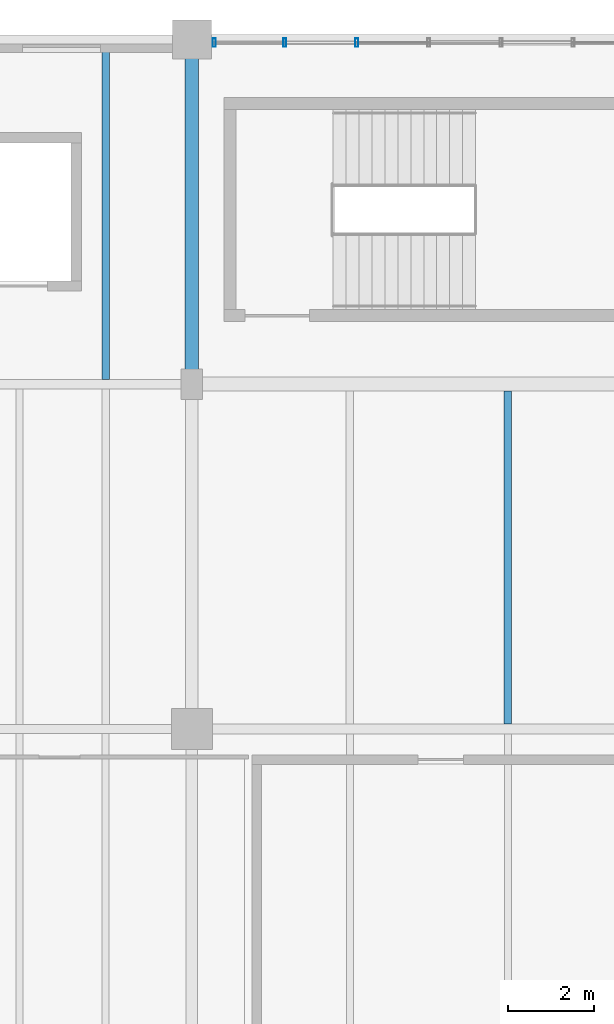
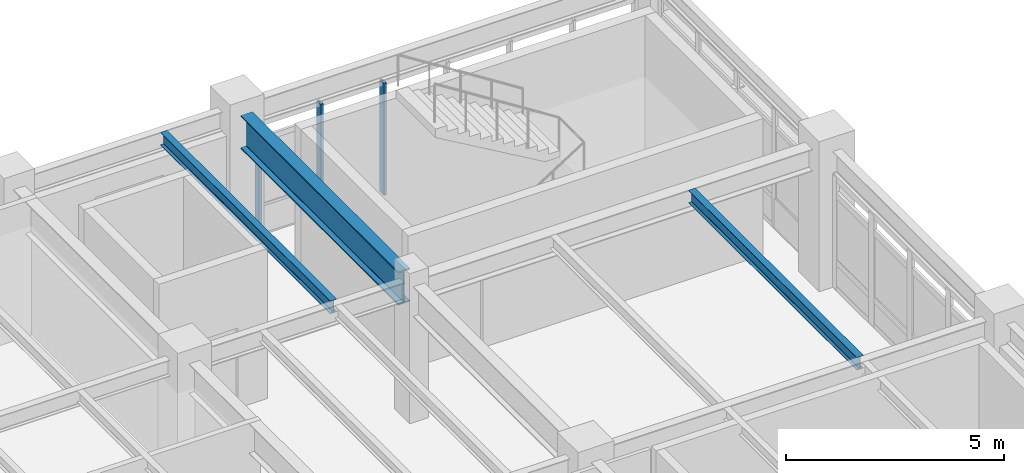
# One storey, part 39 of 56: 3 beams, 3 members, 1 element without a shape of its own.
"""IFC4 building model written with IfcOpenShell, lengths in metres."""

from ifc_helpers import new_model, si_unit, direction, frame, origin, origin_2d, place, context, subcontext, project, spatial, hollow_rectangle, i_section, extrude, material, material_profile, profile_set, type_object, element, aggregate, save


model = new_model("IFC4")

# Units and contexts
model_context = context("Model", 3, precision=1e-05, world=origin(), true_north=direction((0.0, 1.0)))
body_context = subcontext(model_context, "Body", "Model", "MODEL_VIEW")
ifc_project = project(units=[si_unit("LENGTHUNIT", "METRE"), si_unit("AREAUNIT", "SQUARE_METRE"), si_unit("VOLUMEUNIT", "CUBIC_METRE"), si_unit("PLANEANGLEUNIT", "RADIAN"), si_unit("MASSUNIT", "GRAM", prefix="KILO"), si_unit("THERMODYNAMICTEMPERATUREUNIT", "KELVIN"), si_unit("POWERUNIT", "WATT")], contexts=[model_context])

# Site, building, storey
site_placement = place(None, origin())
site = spatial("IfcSite", under=ifc_project, at=site_placement, CompositionType="ELEMENT")
building_placement = place(site_placement, origin())
building = spatial("IfcBuilding", under=site, at=building_placement, Name="Tepalcoro Natatorium and Aquatics Centre", CompositionType="ELEMENT")
storey_placement = place(building_placement, frame((0.0, 0.0, 14.800048828125)))
storey = spatial("IfcBuildingStorey", under=building, at=storey_placement, Name="L03", CompositionType="ELEMENT", Elevation=14.800048828125)

# Beam
ifc_material_1 = material(Name="Steel ASTM A992 Grade 50 (Fy 345 MPa)", Category="steel")
ifc_material_profile_1 = material_profile(ifc_material_1, i_section(OverallWidth=0.31005859375, OverallDepth=0.931884765625, WebThickness=0.02099609375, FlangeThickness=0.034912109375, FilletRadius=0.013916015625, at=origin_2d()), Name="W36X210")
ifc_profile_set_1 = profile_set([ifc_material_profile_1], Name="Steel ASTM A992 Grade 50 (Fy 345 MPa)")
beam_type_1 = type_object("IfcBeamType", Name="BM_W36x210", PredefinedType="BEAM", material=ifc_profile_set_1)
beam_1_placement = place(storey_placement, frame((165.0, 110.3349609375, 3.3388671875), z_axis=(0.0, 1.0, 0.0), x_axis=(-1.0, 0.0, 0.0)))
element("IfcBeam", 1, at=beam_1_placement, inside=storey, type_object=beam_type_1, Name="V5 L03 Grid Girder Y", PredefinedType="BEAM", context=body_context, shape_type="SweptSolid", body=[
    extrude(i_section(OverallWidth=0.31005859375, OverallDepth=0.931884765625, WebThickness=0.02099609375, FlangeThickness=0.034912109375, FilletRadius=0.013916015625, at=origin_2d()), origin(), (0.0, 0.0, 1.0), 7.22998046875),
])

# Curtain wall, members
ifc_material_2 = material(Name="Bronze-Anodised Extruded Aluminium Alloy EN AW-6063 T6", Category="aluminium")
curtain_wall_type = type_object("IfcCurtainWallType", Name="CW_V4_VILLAGE", PredefinedType="USERDEFINED", material=ifc_material_2)
curtain_wall_placement = place(storey_placement, origin())
curtain_wall = element("IfcCurtainWall", 2, at=curtain_wall_placement, inside=storey, type_object=curtain_wall_type, Name="V5 L03 N Unitised Curtain Wall Bay 8", ObjectType="UNITISED STOREFRONT", PredefinedType="USERDEFINED")
ifc_material_profile_2 = material_profile(ifc_material_2, hollow_rectangle(XDim=0.070068359375, YDim=0.199951171875, WallThickness=0.0048828125, at=origin_2d()), Name="AL70X200X5")
ifc_profile_set_2 = profile_set([ifc_material_profile_2], Name="Bronze-Anodised Extruded Aluminium Alloy EN AW-6063 T6")
member_type = type_object("IfcMemberType", Name="CW_MUL_70x200", PredefinedType="MULLION", material=ifc_profile_set_2)
member_1_placement = place(storey_placement, frame((165.52001953125, 117.923828125, 0.02001953125), z_axis=(0.0, 0.0, 1.0), x_axis=(1.0, 0.0, 0.0)))
member_1 = element("IfcMember", 3, at=member_1_placement, type_object=member_type, Name="CW_V4_VILLAGE Curtain Wall Mullion", PredefinedType="MULLION", context=body_context, shape_type="SweptSolid", body=[
    extrude(hollow_rectangle(XDim=0.070068359375, YDim=0.199951171875, WallThickness=0.0048828125, at=origin_2d()), origin(), (0.0, 0.0, 1.0), 3.137939453125),
])
member_2_placement = place(storey_placement, frame((167.1533203125, 117.923828125, 0.02001953125), z_axis=(0.0, 0.0, 1.0), x_axis=(1.0, 0.0, 0.0)))
member_2 = element("IfcMember", 4, at=member_2_placement, type_object=member_type, Name="CW_V4_VILLAGE Curtain Wall Mullion", PredefinedType="MULLION", context=body_context, shape_type="SweptSolid", body=[
    extrude(hollow_rectangle(XDim=0.070068359375, YDim=0.199951171875, WallThickness=0.0048828125, at=origin_2d()), origin(), (0.0, 0.0, 1.0), 3.137939453125),
])
member_3_placement = place(storey_placement, frame((168.82666015625, 117.923828125, 0.02001953125), z_axis=(0.0, 0.0, 1.0), x_axis=(1.0, 0.0, 0.0)))
member_3 = element("IfcMember", 5, at=member_3_placement, type_object=member_type, Name="CW_V4_VILLAGE Curtain Wall Mullion", PredefinedType="MULLION", context=body_context, shape_type="SweptSolid", body=[
    extrude(hollow_rectangle(XDim=0.070068359375, YDim=0.199951171875, WallThickness=0.0048828125, at=origin_2d()), origin(), (0.0, 0.0, 1.0), 3.137939453125),
])
aggregate(curtain_wall, [member_1, member_2, member_3])

# Beams
ifc_material_profile_3 = material_profile(ifc_material_1, i_section(OverallWidth=0.172119140625, OverallDepth=0.35791015625, WebThickness=0.008056640625, FlangeThickness=0.012939453125, FilletRadius=0.013916015625, at=origin_2d()), Name="W14X38")
ifc_profile_set_3 = profile_set([ifc_material_profile_3], Name="Steel ASTM A992 Grade 50 (Fy 345 MPa)")
beam_type_2 = type_object("IfcBeamType", Name="JS_W14x38", PredefinedType="JOIST", material=ifc_profile_set_3)
beam_2_placement = place(storey_placement, frame((163.0, 110.10595703125, 3.6259765625), z_axis=(0.0, 1.0, 0.0), x_axis=(-1.0, 0.0, 0.0)))
element("IfcBeam", 6, at=beam_2_placement, inside=storey, type_object=beam_type_2, Name="V5 L03 Floor Joist", PredefinedType="JOIST", context=body_context, shape_type="SweptSolid", body=[
    extrude(i_section(OverallWidth=0.172119140625, OverallDepth=0.35791015625, WebThickness=0.008056640625, FlangeThickness=0.012939453125, FilletRadius=0.013916015625, at=origin_2d()), origin(), (0.0, 0.0, 1.0), 7.7890625),
])
beam_3_placement = place(storey_placement, frame((172.333251953125, 102.114990234375, 3.6259765625), z_axis=(0.0, 1.0, 0.0), x_axis=(-1.0, 0.0, 0.0)))
element("IfcBeam", 7, at=beam_3_placement, inside=storey, type_object=beam_type_2, Name="V5 L03 Floor Joist", PredefinedType="JOIST", context=body_context, shape_type="SweptSolid", body=[
    extrude(i_section(OverallWidth=0.172119140625, OverallDepth=0.35791015625, WebThickness=0.008056640625, FlangeThickness=0.012939453125, FilletRadius=0.013916015625, at=origin_2d()), origin(), (0.0, 0.0, 1.0), 7.722412109375),
])

save(model, "model.ifc")
